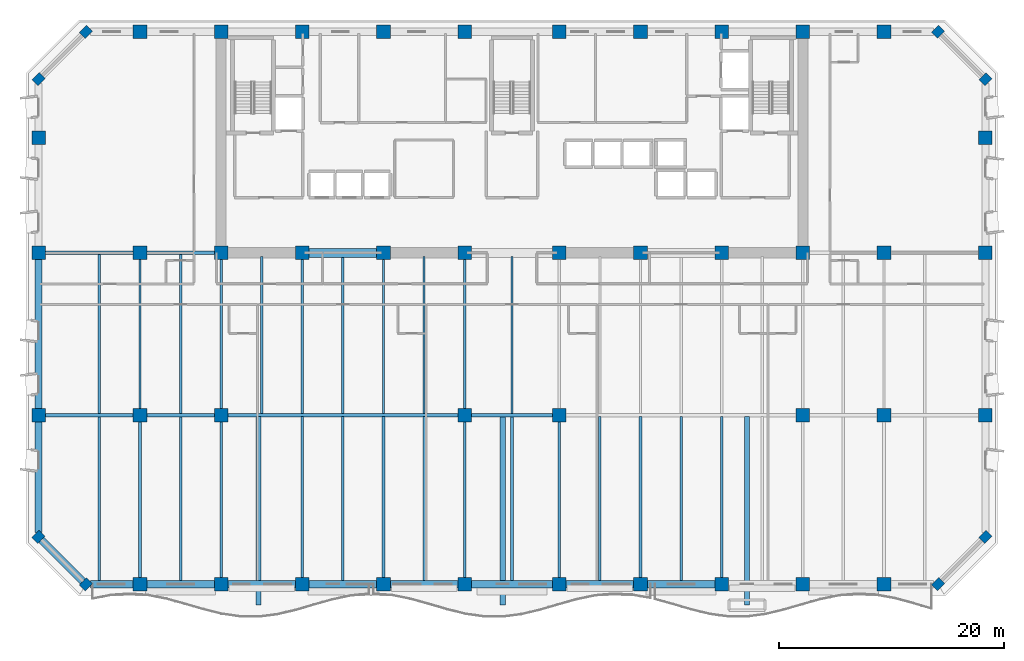
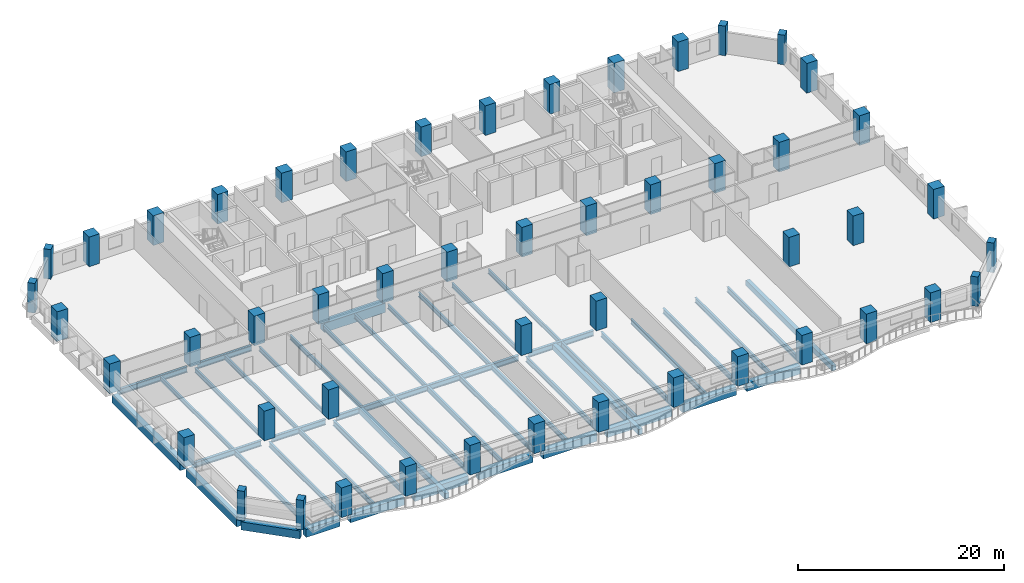
# One storey, part 1 of 14: 50 columns, 47 beams.
"""IFC4 building model written with IfcOpenShell, lengths in metres."""

from ifc_helpers import new_model, si_unit, direction, frame, origin, origin_2d, place, context, subcontext, project, spatial, rectangle, i_section, extrude, material, material_profile, profile_set, type_object, element, save


model = new_model("IFC4")

# Units and contexts
model_context = context("Model", 3, precision=1e-05, world=origin(), true_north=direction((0.0, 1.0)))
body_context = subcontext(model_context, "Body", "Model", "MODEL_VIEW")
ifc_project = project(units=[si_unit("LENGTHUNIT", "METRE"), si_unit("AREAUNIT", "SQUARE_METRE"), si_unit("VOLUMEUNIT", "CUBIC_METRE"), si_unit("PLANEANGLEUNIT", "RADIAN"), si_unit("MASSUNIT", "GRAM", prefix="KILO")], contexts=[model_context])

# Site, building, storey
site_placement = place(None, origin())
site = spatial("IfcSite", under=ifc_project, at=site_placement, CompositionType="ELEMENT")
building_placement = place(site_placement, origin())
building = spatial("IfcBuilding", under=site, at=building_placement, Name="Kaelvorn Grand Hotel", CompositionType="ELEMENT")
storey_placement = place(building_placement, frame((0.0, 0.0, 119.300048828125)))
storey = spatial("IfcBuildingStorey", under=building, at=storey_placement, Name="L28", CompositionType="ELEMENT", Elevation=119.300048828125)

# Columns
ifc_material_1 = material(Name="Concrete C60/75", Category="concrete")
ifc_material_profile_1 = material_profile(ifc_material_1, rectangle(XDim=0.89990234375, YDim=0.75, at=origin_2d()), Name="RC PILASTER 900x750")
ifc_profile_set_1 = profile_set([ifc_material_profile_1], Name="Concrete C60/75")
column_type_1 = type_object("IfcColumnType", Name="COL-PIL-900x750-C60", PredefinedType="PILASTER", material=ifc_profile_set_1)
for number, where, z_axis, x_axis, name in (
    (1, (4.199951171875, 0.0, 0.0), (0.0, 0.0, 1.0), (0.707106781187, 0.707106781187, 0.0), "L28 Structural Column CH-01"),
    (2, (79.800048828125, 0.0, 0.0), (0.0, 0.0, 1.0), (0.707106781187, 0.707106781187, 0.0), "L28 Structural Column CH-02"),
    (3, (84.0, 4.199951171875, 0.0), (0.0, 0.0, 1.0), (0.707106781187, 0.707106781187, 0.0), "L28 Structural Column CH-03"),
    (4, (84.0, 44.800048828125, 0.0), (0.0, 0.0, 1.0), (0.707106781187, 0.707106781187, 0.0), "L28 Structural Column CH-04"),
    (5, (79.800048828125, 49.0, 0.0), (0.0, 0.0, 1.0), (0.707106781187, 0.707106781187, 0.0), "L28 Structural Column CH-05"),
    (6, (4.199951171875, 49.0, 0.0), (0.0, 0.0, 1.0), (0.707106781187, 0.707106781187, 0.0), "L28 Structural Column CH-06"),
    (7, (0.0, 44.800048828125, 0.0), (0.0, 0.0, 1.0), (0.707106781187, 0.707106781187, 0.0), "L28 Structural Column CH-07"),
    (8, (0.0, 4.199951171875, 0.0), (0.0, 0.0, 1.0), (0.707106781187, 0.707106781187, 0.0), "L28 Structural Column CH-08"),
):
    element("IfcColumn", number, at=place(storey_placement, frame(where, z_axis=z_axis, x_axis=x_axis)), inside=storey, type_object=column_type_1, Name=name, PredefinedType="PILASTER", context=body_context, shape_type="SweptSolid", body=[
        extrude(rectangle(XDim=0.89990234375, YDim=0.75, at=origin_2d()), origin(), (0.0, 0.0, 1.0), 3.510009765625),
    ])
ifc_material_profile_2 = material_profile(ifc_material_1, rectangle(XDim=1.199951171875, YDim=1.199951171875, at=origin_2d()), Name="RC COL 1200x1200")
ifc_profile_set_2 = profile_set([ifc_material_profile_2], Name="Concrete C60/75")
column_type_2 = type_object("IfcColumnType", Name="COL-RC-1200-C60", PredefinedType="COLUMN", material=ifc_profile_set_2)
for number, where, z_axis, x_axis, name in (
    (9, (9.0, 0.0, 0.0), (0.0, 0.0, 1.0), (1.0, 0.0, 0.0), "L28 Structural Column S-01"),
    (10, (16.199951171875, 0.0, 0.0), (0.0, 0.0, 1.0), (1.0, 0.0, 0.0), "L28 Structural Column S-02"),
    (11, (23.39990234375, 0.0, 0.0), (0.0, 0.0, 1.0), (1.0, 0.0, 0.0), "L28 Structural Column S-03"),
    (12, (30.60009765625, 0.0, 0.0), (0.0, 0.0, 1.0), (1.0, 0.0, 0.0), "L28 Structural Column S-04"),
    (13, (37.800048828125, 0.0, 0.0), (0.0, 0.0, 1.0), (1.0, 0.0, 0.0), "L28 Structural Column S-05"),
    (14, (46.199951171875, 0.0, 0.0), (0.0, 0.0, 1.0), (1.0, 0.0, 0.0), "L28 Structural Column S-06"),
    (15, (53.39990234375, 0.0, 0.0), (0.0, 0.0, 1.0), (1.0, 0.0, 0.0), "L28 Structural Column S-07"),
    (16, (60.60009765625, 0.0, 0.0), (0.0, 0.0, 1.0), (1.0, 0.0, 0.0), "L28 Structural Column S-08"),
    (17, (67.800048828125, 0.0, 0.0), (0.0, 0.0, 1.0), (1.0, 0.0, 0.0), "L28 Structural Column S-09"),
    (18, (75.0, 0.0, 0.0), (0.0, 0.0, 1.0), (1.0, 0.0, 0.0), "L28 Structural Column S-10"),
    (19, (0.0, 15.0, 0.0), (0.0, 0.0, 1.0), (1.0, 0.0, 0.0), "L28 Structural Column W-01"),
    (20, (84.0, 15.0, 0.0), (0.0, 0.0, 1.0), (1.0, 0.0, 0.0), "L28 Structural Column E-01"),
    (21, (0.0, 29.39990234375, 0.0), (0.0, 0.0, 1.0), (1.0, 0.0, 0.0), "L28 Structural Column W-02"),
    (22, (84.0, 29.39990234375, 0.0), (0.0, 0.0, 1.0), (1.0, 0.0, 0.0), "L28 Structural Column E-02"),
    (23, (0.0, 39.60009765625, 0.0), (0.0, 0.0, 1.0), (1.0, 0.0, 0.0), "L28 Structural Column W-03"),
    (24, (84.0, 39.60009765625, 0.0), (0.0, 0.0, 1.0), (1.0, 0.0, 0.0), "L28 Structural Column E-03"),
    (25, (9.0, 15.0, 0.0), (0.0, 0.0, 1.0), (1.0, 0.0, 0.0), "L28 Structural Column M-01"),
    (26, (16.199951171875, 15.0, 0.0), (0.0, 0.0, 1.0), (1.0, 0.0, 0.0), "L28 Structural Column M-02"),
    (27, (37.800048828125, 15.0, 0.0), (0.0, 0.0, 1.0), (1.0, 0.0, 0.0), "L28 Structural Column M-03"),
    (28, (46.199951171875, 15.0, 0.0), (0.0, 0.0, 1.0), (1.0, 0.0, 0.0), "L28 Structural Column M-04"),
    (29, (67.800048828125, 15.0, 0.0), (0.0, 0.0, 1.0), (1.0, 0.0, 0.0), "L28 Structural Column M-05"),
    (30, (75.0, 15.0, 0.0), (0.0, 0.0, 1.0), (1.0, 0.0, 0.0), "L28 Structural Column M-06"),
    (31, (9.0, 29.39990234375, 0.0), (0.0, 0.0, 1.0), (1.0, 0.0, 0.0), "L28 Structural Column CR1-01"),
    (32, (9.0, 49.0, 0.0), (0.0, 0.0, 1.0), (1.0, 0.0, 0.0), "L28 Structural Column CR2-01"),
    (33, (16.199951171875, 29.39990234375, 0.0), (0.0, 0.0, 1.0), (1.0, 0.0, 0.0), "L28 Structural Column CR1-02"),
    (34, (16.199951171875, 49.0, 0.0), (0.0, 0.0, 1.0), (1.0, 0.0, 0.0), "L28 Structural Column CR2-02"),
    (35, (23.39990234375, 29.39990234375, 0.0), (0.0, 0.0, 1.0), (1.0, 0.0, 0.0), "L28 Structural Column CR1-03"),
    (36, (23.39990234375, 49.0, 0.0), (0.0, 0.0, 1.0), (1.0, 0.0, 0.0), "L28 Structural Column CR2-03"),
    (37, (30.60009765625, 29.39990234375, 0.0), (0.0, 0.0, 1.0), (1.0, 0.0, 0.0), "L28 Structural Column CR1-04"),
    (38, (30.60009765625, 49.0, 0.0), (0.0, 0.0, 1.0), (1.0, 0.0, 0.0), "L28 Structural Column CR2-04"),
    (39, (37.800048828125, 29.39990234375, 0.0), (0.0, 0.0, 1.0), (1.0, 0.0, 0.0), "L28 Structural Column CR1-05"),
    (40, (37.800048828125, 49.0, 0.0), (0.0, 0.0, 1.0), (1.0, 0.0, 0.0), "L28 Structural Column CR2-05"),
    (41, (46.199951171875, 29.39990234375, 0.0), (0.0, 0.0, 1.0), (1.0, 0.0, 0.0), "L28 Structural Column CR1-06"),
    (42, (46.199951171875, 49.0, 0.0), (0.0, 0.0, 1.0), (1.0, 0.0, 0.0), "L28 Structural Column CR2-06"),
    (43, (53.39990234375, 29.39990234375, 0.0), (0.0, 0.0, 1.0), (1.0, 0.0, 0.0), "L28 Structural Column CR1-07"),
    (44, (53.39990234375, 49.0, 0.0), (0.0, 0.0, 1.0), (1.0, 0.0, 0.0), "L28 Structural Column CR2-07"),
    (45, (60.60009765625, 29.39990234375, 0.0), (0.0, 0.0, 1.0), (1.0, 0.0, 0.0), "L28 Structural Column CR1-08"),
    (46, (60.60009765625, 49.0, 0.0), (0.0, 0.0, 1.0), (1.0, 0.0, 0.0), "L28 Structural Column CR2-08"),
    (47, (67.800048828125, 29.39990234375, 0.0), (0.0, 0.0, 1.0), (1.0, 0.0, 0.0), "L28 Structural Column CR1-09"),
    (48, (67.800048828125, 49.0, 0.0), (0.0, 0.0, 1.0), (1.0, 0.0, 0.0), "L28 Structural Column CR2-09"),
    (49, (75.0, 29.39990234375, 0.0), (0.0, 0.0, 1.0), (1.0, 0.0, 0.0), "L28 Structural Column CR1-10"),
    (50, (75.0, 49.0, 0.0), (0.0, 0.0, 1.0), (1.0, 0.0, 0.0), "L28 Structural Column CR2-10"),
):
    element("IfcColumn", number, at=place(storey_placement, frame(where, z_axis=z_axis, x_axis=x_axis)), inside=storey, type_object=column_type_2, Name=name, PredefinedType="COLUMN", context=body_context, shape_type="SweptSolid", body=[
        extrude(rectangle(XDim=1.199951171875, YDim=1.199951171875, at=origin_2d()), origin(), (0.0, 0.0, 1.0), 3.510009765625),
    ])

# Beams
ifc_material_2 = material(Name="Steel S355", Category="steel")
ifc_material_profile_3 = material_profile(ifc_material_2, i_section(OverallWidth=0.300048828125, OverallDepth=0.64990234375, WebThickness=0.01611328125, FlangeThickness=0.031005859375, FilletRadius=0.027099609375, at=origin_2d()), Name="HEB 650")
ifc_profile_set_3 = profile_set([ifc_material_profile_3], Name="Steel S355")
beam_type_1 = type_object("IfcBeamType", Name="BM-G-HEB650-S355", PredefinedType="BEAM", material=ifc_profile_set_3)
beam_1_placement = place(storey_placement, frame((0.5849609375, 15.0, -0.56494140625), z_axis=(1.0, 0.0, 0.0), x_axis=(0.0, 1.0, 0.0)))
element("IfcBeam", 51, at=beam_1_placement, inside=storey, type_object=beam_type_1, Name="L28 Primary Spine Steel Girder G-15 01", PredefinedType="BEAM", context=body_context, shape_type="SweptSolid", body=[
    extrude(i_section(OverallWidth=0.300048828125, OverallDepth=0.64990234375, WebThickness=0.01611328125, FlangeThickness=0.031005859375, FilletRadius=0.027099609375, at=origin_2d()), origin(), (0.0, 0.0, 1.0), 7.830078125),
])
beam_2_placement = place(storey_placement, frame((9.5849609375, 15.0, -0.56494140625), z_axis=(1.0, 0.0, 0.0), x_axis=(0.0, 1.0, 0.0)))
element("IfcBeam", 52, at=beam_2_placement, inside=storey, type_object=beam_type_1, Name="L28 Primary Spine Steel Girder G-15 02", PredefinedType="BEAM", context=body_context, shape_type="SweptSolid", body=[
    extrude(i_section(OverallWidth=0.300048828125, OverallDepth=0.64990234375, WebThickness=0.01611328125, FlangeThickness=0.031005859375, FilletRadius=0.027099609375, at=origin_2d()), origin(), (0.0, 0.0, 1.0), 6.030029296875),
])
beam_3_placement = place(storey_placement, frame((16.784912109375, 15.0, -0.56494140625), z_axis=(1.0, 0.0, 0.0), x_axis=(0.0, 1.0, 0.0)))
element("IfcBeam", 53, at=beam_3_placement, inside=storey, type_object=beam_type_1, Name="L28 Primary Spine Steel Girder G-15 03", PredefinedType="BEAM", context=body_context, shape_type="SweptSolid", body=[
    extrude(i_section(OverallWidth=0.300048828125, OverallDepth=0.64990234375, WebThickness=0.01611328125, FlangeThickness=0.031005859375, FilletRadius=0.027099609375, at=origin_2d()), origin(), (0.0, 0.0, 1.0), 20.43017578125),
])
beam_4_placement = place(storey_placement, frame((38.385009765625, 15.0, -0.56494140625), z_axis=(1.0, 0.0, 0.0), x_axis=(0.0, 1.0, 0.0)))
element("IfcBeam", 54, at=beam_4_placement, inside=storey, type_object=beam_type_1, Name="L28 Primary Spine Steel Girder G-15 04", PredefinedType="BEAM", context=body_context, shape_type="SweptSolid", body=[
    extrude(i_section(OverallWidth=0.300048828125, OverallDepth=0.64990234375, WebThickness=0.01611328125, FlangeThickness=0.031005859375, FilletRadius=0.027099609375, at=origin_2d()), origin(), (0.0, 0.0, 1.0), 7.22998046875),
])
beam_5_placement = place(storey_placement, frame((0.5849609375, 29.39990234375, -0.56494140625), z_axis=(1.0, 0.0, 0.0), x_axis=(0.0, 1.0, 0.0)))
element("IfcBeam", 55, at=beam_5_placement, inside=storey, type_object=beam_type_1, Name="L28 West Core Wing Steel Girder G-29W 01", PredefinedType="BEAM", context=body_context, shape_type="SweptSolid", body=[
    extrude(i_section(OverallWidth=0.300048828125, OverallDepth=0.64990234375, WebThickness=0.01611328125, FlangeThickness=0.031005859375, FilletRadius=0.027099609375, at=origin_2d()), origin(), (0.0, 0.0, 1.0), 7.830078125),
])
beam_6_placement = place(storey_placement, frame((9.5849609375, 29.39990234375, -0.56494140625), z_axis=(1.0, 0.0, 0.0), x_axis=(0.0, 1.0, 0.0)))
element("IfcBeam", 56, at=beam_6_placement, inside=storey, type_object=beam_type_1, Name="L28 West Core Wing Steel Girder G-29W 02", PredefinedType="BEAM", context=body_context, shape_type="SweptSolid", body=[
    extrude(i_section(OverallWidth=0.300048828125, OverallDepth=0.64990234375, WebThickness=0.01611328125, FlangeThickness=0.031005859375, FilletRadius=0.027099609375, at=origin_2d()), origin(), (0.0, 0.0, 1.0), 6.030029296875),
])
ifc_material_profile_4 = material_profile(ifc_material_2, i_section(OverallWidth=0.209228515625, OverallDepth=0.533203125, WebThickness=0.010009765625, FlangeThickness=0.015625, FilletRadius=0.0126953125, at=origin_2d()), Name="UB 533x210x92")
ifc_profile_set_4 = profile_set([ifc_material_profile_4], Name="Steel S355")
beam_type_2 = type_object("IfcBeamType", Name="BM-J-UB533-S355", PredefinedType="JOIST", material=ifc_profile_set_4)
beam_7_placement = place(storey_placement, frame((5.39990234375, 15.135009765625, -0.506591796875), z_axis=(0.0, 1.0, 0.0), x_axis=(-1.0, 0.0, 0.0)))
element("IfcBeam", 57, at=beam_7_placement, inside=storey, type_object=beam_type_2, Name="L28 Composite Floor Joist JM-02", PredefinedType="JOIST", context=body_context, shape_type="SweptSolid", body=[
    extrude(i_section(OverallWidth=0.209228515625, OverallDepth=0.533203125, WebThickness=0.010009765625, FlangeThickness=0.015625, FilletRadius=0.0126953125, at=origin_2d()), origin(), (0.0, 0.0, 1.0), 14.1298828125),
])
beam_8_placement = place(storey_placement, frame((9.0, 15.5849609375, -0.506591796875), z_axis=(0.0, 1.0, 0.0), x_axis=(-1.0, 0.0, 0.0)))
element("IfcBeam", 58, at=beam_8_placement, inside=storey, type_object=beam_type_2, Name="L28 Composite Floor Joist JM-03", PredefinedType="JOIST", context=body_context, shape_type="SweptSolid", body=[
    extrude(i_section(OverallWidth=0.209228515625, OverallDepth=0.533203125, WebThickness=0.010009765625, FlangeThickness=0.015625, FilletRadius=0.0126953125, at=origin_2d()), origin(), (0.0, 0.0, 1.0), 13.22998046875),
])
beam_9_placement = place(storey_placement, frame((12.60009765625, 15.135009765625, -0.506591796875), z_axis=(0.0, 1.0, 0.0), x_axis=(-1.0, 0.0, 0.0)))
element("IfcBeam", 59, at=beam_9_placement, inside=storey, type_object=beam_type_2, Name="L28 Composite Floor Joist JM-04", PredefinedType="JOIST", context=body_context, shape_type="SweptSolid", body=[
    extrude(i_section(OverallWidth=0.209228515625, OverallDepth=0.533203125, WebThickness=0.010009765625, FlangeThickness=0.015625, FilletRadius=0.0126953125, at=origin_2d()), origin(), (0.0, 0.0, 1.0), 14.1298828125),
])
beam_10_placement = place(storey_placement, frame((16.199951171875, 15.5849609375, -0.506591796875), z_axis=(0.0, 1.0, 0.0), x_axis=(-1.0, 0.0, 0.0)))
element("IfcBeam", 60, at=beam_10_placement, inside=storey, type_object=beam_type_2, Name="L28 Composite Floor Joist JM-05", PredefinedType="JOIST", context=body_context, shape_type="SweptSolid", body=[
    extrude(i_section(OverallWidth=0.209228515625, OverallDepth=0.533203125, WebThickness=0.010009765625, FlangeThickness=0.015625, FilletRadius=0.0126953125, at=origin_2d()), origin(), (0.0, 0.0, 1.0), 13.22998046875),
])
beam_11_placement = place(storey_placement, frame((19.800048828125, 15.135009765625, -0.506591796875), z_axis=(0.0, 1.0, 0.0), x_axis=(-1.0, 0.0, 0.0)))
element("IfcBeam", 61, at=beam_11_placement, inside=storey, type_object=beam_type_2, Name="L28 Composite Floor Joist JM-06", PredefinedType="JOIST", context=body_context, shape_type="SweptSolid", body=[
    extrude(i_section(OverallWidth=0.209228515625, OverallDepth=0.533203125, WebThickness=0.010009765625, FlangeThickness=0.015625, FilletRadius=0.0126953125, at=origin_2d()), origin(), (0.0, 0.0, 1.0), 13.925048828125),
])
beam_12_placement = place(storey_placement, frame((23.39990234375, 15.135009765625, -0.506591796875), z_axis=(0.0, 1.0, 0.0), x_axis=(-1.0, 0.0, 0.0)))
element("IfcBeam", 62, at=beam_12_placement, inside=storey, type_object=beam_type_2, Name="L28 Composite Floor Joist JM-07", PredefinedType="JOIST", context=body_context, shape_type="SweptSolid", body=[
    extrude(i_section(OverallWidth=0.209228515625, OverallDepth=0.533203125, WebThickness=0.010009765625, FlangeThickness=0.015625, FilletRadius=0.0126953125, at=origin_2d()), origin(), (0.0, 0.0, 1.0), 13.679931640625),
])
beam_13_placement = place(storey_placement, frame((27.0, 15.135009765625, -0.506591796875), z_axis=(0.0, 1.0, 0.0), x_axis=(-1.0, 0.0, 0.0)))
element("IfcBeam", 63, at=beam_13_placement, inside=storey, type_object=beam_type_2, Name="L28 Composite Floor Joist JM-08", PredefinedType="JOIST", context=body_context, shape_type="SweptSolid", body=[
    extrude(i_section(OverallWidth=0.209228515625, OverallDepth=0.533203125, WebThickness=0.010009765625, FlangeThickness=0.015625, FilletRadius=0.0126953125, at=origin_2d()), origin(), (0.0, 0.0, 1.0), 13.925048828125),
])
beam_14_placement = place(storey_placement, frame((30.60009765625, 15.135009765625, -0.506591796875), z_axis=(0.0, 1.0, 0.0), x_axis=(-1.0, 0.0, 0.0)))
element("IfcBeam", 64, at=beam_14_placement, inside=storey, type_object=beam_type_2, Name="L28 Composite Floor Joist JM-09", PredefinedType="JOIST", context=body_context, shape_type="SweptSolid", body=[
    extrude(i_section(OverallWidth=0.209228515625, OverallDepth=0.533203125, WebThickness=0.010009765625, FlangeThickness=0.015625, FilletRadius=0.0126953125, at=origin_2d()), origin(), (0.0, 0.0, 1.0), 13.679931640625),
])
beam_15_placement = place(storey_placement, frame((34.199951171875, 15.135009765625, -0.506591796875), z_axis=(0.0, 1.0, 0.0), x_axis=(-1.0, 0.0, 0.0)))
element("IfcBeam", 65, at=beam_15_placement, inside=storey, type_object=beam_type_2, Name="L28 Composite Floor Joist JM-10", PredefinedType="JOIST", context=body_context, shape_type="SweptSolid", body=[
    extrude(i_section(OverallWidth=0.209228515625, OverallDepth=0.533203125, WebThickness=0.010009765625, FlangeThickness=0.015625, FilletRadius=0.0126953125, at=origin_2d()), origin(), (0.0, 0.0, 1.0), 13.925048828125),
])
beam_16_placement = place(storey_placement, frame((37.800048828125, 15.5849609375, -0.506591796875), z_axis=(0.0, 1.0, 0.0), x_axis=(-1.0, 0.0, 0.0)))
element("IfcBeam", 66, at=beam_16_placement, inside=storey, type_object=beam_type_2, Name="L28 Composite Floor Joist JM-11", PredefinedType="JOIST", context=body_context, shape_type="SweptSolid", body=[
    extrude(i_section(OverallWidth=0.209228515625, OverallDepth=0.533203125, WebThickness=0.010009765625, FlangeThickness=0.015625, FilletRadius=0.0126953125, at=origin_2d()), origin(), (0.0, 0.0, 1.0), 13.22998046875),
])
beam_17_placement = place(storey_placement, frame((42.0, 15.135009765625, -0.506591796875), z_axis=(0.0, 1.0, 0.0), x_axis=(-1.0, 0.0, 0.0)))
element("IfcBeam", 67, at=beam_17_placement, inside=storey, type_object=beam_type_2, Name="L28 Composite Floor Joist JM-12", PredefinedType="JOIST", context=body_context, shape_type="SweptSolid", body=[
    extrude(i_section(OverallWidth=0.209228515625, OverallDepth=0.533203125, WebThickness=0.010009765625, FlangeThickness=0.015625, FilletRadius=0.0126953125, at=origin_2d()), origin(), (0.0, 0.0, 1.0), 13.925048828125),
])
ifc_material_profile_5 = material_profile(ifc_material_2, i_section(OverallWidth=0.22900390625, OverallDepth=0.6123046875, WebThickness=0.011962890625, FlangeThickness=0.01953125, FilletRadius=0.0126953125, at=origin_2d()), Name="UB 610x229x125")
ifc_profile_set_5 = profile_set([ifc_material_profile_5], Name="Steel S355")
beam_type_3 = type_object("IfcBeamType", Name="BM-J-UB610-S355", PredefinedType="JOIST", material=ifc_profile_set_5)
beam_18_placement = place(storey_placement, frame((5.39990234375, 0.31005859375, -0.546142578125), z_axis=(0.0, 1.0, 0.0), x_axis=(-1.0, 0.0, 0.0)))
element("IfcBeam", 68, at=beam_18_placement, inside=storey, type_object=beam_type_3, Name="L28 Composite Floor Joist JS-02", PredefinedType="JOIST", context=body_context, shape_type="SweptSolid", body=[
    extrude(i_section(OverallWidth=0.22900390625, OverallDepth=0.6123046875, WebThickness=0.011962890625, FlangeThickness=0.01953125, FilletRadius=0.0126953125, at=origin_2d()), origin(), (0.0, 0.0, 1.0), 14.554931640625),
])
beam_19_placement = place(storey_placement, frame((9.0, 0.5849609375, -0.546142578125), z_axis=(0.0, 1.0, 0.0), x_axis=(-1.0, 0.0, 0.0)))
element("IfcBeam", 69, at=beam_19_placement, inside=storey, type_object=beam_type_3, Name="L28 Composite Floor Joist JS-03", PredefinedType="JOIST", context=body_context, shape_type="SweptSolid", body=[
    extrude(i_section(OverallWidth=0.22900390625, OverallDepth=0.6123046875, WebThickness=0.011962890625, FlangeThickness=0.01953125, FilletRadius=0.0126953125, at=origin_2d()), origin(), (0.0, 0.0, 1.0), 13.830078125),
])
beam_20_placement = place(storey_placement, frame((12.60009765625, 0.31005859375, -0.546142578125), z_axis=(0.0, 1.0, 0.0), x_axis=(-1.0, 0.0, 0.0)))
element("IfcBeam", 70, at=beam_20_placement, inside=storey, type_object=beam_type_3, Name="L28 Composite Floor Joist JS-04", PredefinedType="JOIST", context=body_context, shape_type="SweptSolid", body=[
    extrude(i_section(OverallWidth=0.22900390625, OverallDepth=0.6123046875, WebThickness=0.011962890625, FlangeThickness=0.01953125, FilletRadius=0.0126953125, at=origin_2d()), origin(), (0.0, 0.0, 1.0), 14.554931640625),
])
beam_21_placement = place(storey_placement, frame((16.199951171875, 0.5849609375, -0.546142578125), z_axis=(0.0, 1.0, 0.0), x_axis=(-1.0, 0.0, 0.0)))
element("IfcBeam", 71, at=beam_21_placement, inside=storey, type_object=beam_type_3, Name="L28 Composite Floor Joist JS-05", PredefinedType="JOIST", context=body_context, shape_type="SweptSolid", body=[
    extrude(i_section(OverallWidth=0.22900390625, OverallDepth=0.6123046875, WebThickness=0.011962890625, FlangeThickness=0.01953125, FilletRadius=0.0126953125, at=origin_2d()), origin(), (0.0, 0.0, 1.0), 13.830078125),
])
beam_22_placement = place(storey_placement, frame((23.39990234375, 0.5849609375, -0.546142578125), z_axis=(0.0, 1.0, 0.0), x_axis=(-1.0, 0.0, 0.0)))
element("IfcBeam", 72, at=beam_22_placement, inside=storey, type_object=beam_type_3, Name="L28 Composite Floor Joist JS-07", PredefinedType="JOIST", context=body_context, shape_type="SweptSolid", body=[
    extrude(i_section(OverallWidth=0.22900390625, OverallDepth=0.6123046875, WebThickness=0.011962890625, FlangeThickness=0.01953125, FilletRadius=0.0126953125, at=origin_2d()), origin(), (0.0, 0.0, 1.0), 14.280029296875),
])
beam_23_placement = place(storey_placement, frame((27.0, 0.31005859375, -0.546142578125), z_axis=(0.0, 1.0, 0.0), x_axis=(-1.0, 0.0, 0.0)))
element("IfcBeam", 73, at=beam_23_placement, inside=storey, type_object=beam_type_3, Name="L28 Composite Floor Joist JS-08", PredefinedType="JOIST", context=body_context, shape_type="SweptSolid", body=[
    extrude(i_section(OverallWidth=0.22900390625, OverallDepth=0.6123046875, WebThickness=0.011962890625, FlangeThickness=0.01953125, FilletRadius=0.0126953125, at=origin_2d()), origin(), (0.0, 0.0, 1.0), 14.554931640625),
])
beam_24_placement = place(storey_placement, frame((30.60009765625, 0.5849609375, -0.546142578125), z_axis=(0.0, 1.0, 0.0), x_axis=(-1.0, 0.0, 0.0)))
element("IfcBeam", 74, at=beam_24_placement, inside=storey, type_object=beam_type_3, Name="L28 Composite Floor Joist JS-09", PredefinedType="JOIST", context=body_context, shape_type="SweptSolid", body=[
    extrude(i_section(OverallWidth=0.22900390625, OverallDepth=0.6123046875, WebThickness=0.011962890625, FlangeThickness=0.01953125, FilletRadius=0.0126953125, at=origin_2d()), origin(), (0.0, 0.0, 1.0), 14.280029296875),
])
beam_25_placement = place(storey_placement, frame((34.199951171875, 0.31005859375, -0.546142578125), z_axis=(0.0, 1.0, 0.0), x_axis=(-1.0, 0.0, 0.0)))
element("IfcBeam", 75, at=beam_25_placement, inside=storey, type_object=beam_type_3, Name="L28 Composite Floor Joist JS-10", PredefinedType="JOIST", context=body_context, shape_type="SweptSolid", body=[
    extrude(i_section(OverallWidth=0.22900390625, OverallDepth=0.6123046875, WebThickness=0.011962890625, FlangeThickness=0.01953125, FilletRadius=0.0126953125, at=origin_2d()), origin(), (0.0, 0.0, 1.0), 14.554931640625),
])
beam_26_placement = place(storey_placement, frame((37.800048828125, 0.5849609375, -0.546142578125), z_axis=(0.0, 1.0, 0.0), x_axis=(-1.0, 0.0, 0.0)))
element("IfcBeam", 76, at=beam_26_placement, inside=storey, type_object=beam_type_3, Name="L28 Composite Floor Joist JS-11", PredefinedType="JOIST", context=body_context, shape_type="SweptSolid", body=[
    extrude(i_section(OverallWidth=0.22900390625, OverallDepth=0.6123046875, WebThickness=0.011962890625, FlangeThickness=0.01953125, FilletRadius=0.0126953125, at=origin_2d()), origin(), (0.0, 0.0, 1.0), 13.830078125),
])
beam_27_placement = place(storey_placement, frame((42.0, 0.31005859375, -0.546142578125), z_axis=(0.0, 1.0, 0.0), x_axis=(-1.0, 0.0, 0.0)))
element("IfcBeam", 77, at=beam_27_placement, inside=storey, type_object=beam_type_3, Name="L28 Composite Floor Joist JS-12", PredefinedType="JOIST", context=body_context, shape_type="SweptSolid", body=[
    extrude(i_section(OverallWidth=0.22900390625, OverallDepth=0.6123046875, WebThickness=0.011962890625, FlangeThickness=0.01953125, FilletRadius=0.0126953125, at=origin_2d()), origin(), (0.0, 0.0, 1.0), 14.554931640625),
])
beam_28_placement = place(storey_placement, frame((46.199951171875, 0.5849609375, -0.546142578125), z_axis=(0.0, 1.0, 0.0), x_axis=(-1.0, 0.0, 0.0)))
element("IfcBeam", 78, at=beam_28_placement, inside=storey, type_object=beam_type_3, Name="L28 Composite Floor Joist JS-13", PredefinedType="JOIST", context=body_context, shape_type="SweptSolid", body=[
    extrude(i_section(OverallWidth=0.22900390625, OverallDepth=0.6123046875, WebThickness=0.011962890625, FlangeThickness=0.01953125, FilletRadius=0.0126953125, at=origin_2d()), origin(), (0.0, 0.0, 1.0), 13.830078125),
])
beam_29_placement = place(storey_placement, frame((49.800048828125, 0.31005859375, -0.546142578125), z_axis=(0.0, 1.0, 0.0), x_axis=(-1.0, 0.0, 0.0)))
element("IfcBeam", 79, at=beam_29_placement, inside=storey, type_object=beam_type_3, Name="L28 Composite Floor Joist JS-14", PredefinedType="JOIST", context=body_context, shape_type="SweptSolid", body=[
    extrude(i_section(OverallWidth=0.22900390625, OverallDepth=0.6123046875, WebThickness=0.011962890625, FlangeThickness=0.01953125, FilletRadius=0.0126953125, at=origin_2d()), origin(), (0.0, 0.0, 1.0), 14.554931640625),
])
beam_30_placement = place(storey_placement, frame((53.39990234375, 0.5849609375, -0.546142578125), z_axis=(0.0, 1.0, 0.0), x_axis=(-1.0, 0.0, 0.0)))
element("IfcBeam", 80, at=beam_30_placement, inside=storey, type_object=beam_type_3, Name="L28 Composite Floor Joist JS-15", PredefinedType="JOIST", context=body_context, shape_type="SweptSolid", body=[
    extrude(i_section(OverallWidth=0.22900390625, OverallDepth=0.6123046875, WebThickness=0.011962890625, FlangeThickness=0.01953125, FilletRadius=0.0126953125, at=origin_2d()), origin(), (0.0, 0.0, 1.0), 14.280029296875),
])
beam_31_placement = place(storey_placement, frame((57.0, 0.31005859375, -0.546142578125), z_axis=(0.0, 1.0, 0.0), x_axis=(-1.0, 0.0, 0.0)))
element("IfcBeam", 81, at=beam_31_placement, inside=storey, type_object=beam_type_3, Name="L28 Composite Floor Joist JS-16", PredefinedType="JOIST", context=body_context, shape_type="SweptSolid", body=[
    extrude(i_section(OverallWidth=0.22900390625, OverallDepth=0.6123046875, WebThickness=0.011962890625, FlangeThickness=0.01953125, FilletRadius=0.0126953125, at=origin_2d()), origin(), (0.0, 0.0, 1.0), 14.554931640625),
])
beam_32_placement = place(storey_placement, frame((60.60009765625, 0.5849609375, -0.546142578125), z_axis=(0.0, 1.0, 0.0), x_axis=(-1.0, 0.0, 0.0)))
element("IfcBeam", 82, at=beam_32_placement, inside=storey, type_object=beam_type_3, Name="L28 Composite Floor Joist JS-17", PredefinedType="JOIST", context=body_context, shape_type="SweptSolid", body=[
    extrude(i_section(OverallWidth=0.22900390625, OverallDepth=0.6123046875, WebThickness=0.011962890625, FlangeThickness=0.01953125, FilletRadius=0.0126953125, at=origin_2d()), origin(), (0.0, 0.0, 1.0), 14.280029296875),
])
ifc_material_profile_6 = material_profile(ifc_material_1, rectangle(XDim=0.800048828125, YDim=1.10009765625, at=origin_2d()), Name="RC LINTEL 800x1100")
ifc_profile_set_6 = profile_set([ifc_material_profile_6], Name="Concrete C60/75")
beam_type_4 = type_object("IfcBeamType", Name="BM-LIN-800x1100-C60", PredefinedType="LINTEL", material=ifc_profile_set_6)
beam_33_placement = place(storey_placement, frame((23.580078125, 29.39990234375, -0.7900390625), z_axis=(1.0, 0.0, 0.0), x_axis=(0.0, 1.0, 0.0)))
element("IfcBeam", 83, at=beam_33_placement, inside=storey, type_object=beam_type_4, Name="L28 Rear-Core Coupling Lintel Beam CB1-01", PredefinedType="LINTEL", context=body_context, shape_type="SweptSolid", body=[
    extrude(rectangle(XDim=0.800048828125, YDim=1.10009765625, at=origin_2d()), origin(), (0.0, 0.0, 1.0), 6.83984375),
])
ifc_material_3 = material(Name="Concrete C40/50", Category="concrete")
ifc_material_profile_7 = material_profile(ifc_material_3, rectangle(XDim=0.449951171875, YDim=0.64990234375, at=origin_2d()), Name="RC RIB 450x650")
ifc_profile_set_7 = profile_set([ifc_material_profile_7], Name="Concrete C40/50")
beam_type_5 = type_object("IfcBeamType", Name="BM-RIB-450x650-C40", PredefinedType="SPANDREL", material=ifc_profile_set_7)
for number, where, z_axis, x_axis, name in (
    (84, (19.52001953125, -1.85009765625, -0.545166015625), (0.0, 1.0, 0.0), (-1.0, 0.0, 0.0), "L28 Cantilevered Balcony Back-Span Rib RB1-1"),
    (85, (41.18212890625, -1.85009765625, -0.545166015625), (0.0, 1.0, 0.0), (-1.0, 0.0, 0.0), "L28 Cantilevered Balcony Back-Span Rib RB1-2"),
    (86, (62.844482421875, -1.85009765625, -0.545166015625), (0.0, 1.0, 0.0), (-1.0, 0.0, 0.0), "L28 Cantilevered Balcony Back-Span Rib RB1-3"),
):
    element("IfcBeam", number, at=place(storey_placement, frame(where, z_axis=z_axis, x_axis=x_axis)), inside=storey, type_object=beam_type_5, Name=name, PredefinedType="SPANDREL", context=body_context, shape_type="SweptSolid", body=[
        extrude(rectangle(XDim=0.449951171875, YDim=0.64990234375, at=origin_2d()), origin(), (0.0, 0.0, 1.0), 16.715087890625),
    ])
ifc_material_profile_8 = material_profile(ifc_material_1, rectangle(XDim=0.64990234375, YDim=0.949951171875, at=origin_2d()), Name="RC SPANDREL 650x950")
ifc_profile_set_8 = profile_set([ifc_material_profile_8], Name="Concrete C60/75")
beam_type_6 = type_object("IfcBeamType", Name="BM-SP-650x950-C60", PredefinedType="SPANDREL", material=ifc_profile_set_8)
beam_34_placement = place(storey_placement, frame((4.60498046875, 0.0, -0.715087890625), z_axis=(1.0, 0.0, 0.0), x_axis=(0.0, 1.0, 0.0)))
element("IfcBeam", 87, at=beam_34_placement, inside=storey, type_object=beam_type_6, Name="L28 South Perimeter Spandrel 01", PredefinedType="SPANDREL", context=body_context, shape_type="SweptSolid", body=[
    extrude(rectangle(XDim=0.64990234375, YDim=0.949951171875, at=origin_2d()), origin(), (0.0, 0.0, 1.0), 3.81005859375),
])
for number, where, z_axis, x_axis, name in (
    (88, (9.5849609375, 0.0, -0.715087890625), (1.0, 0.0, 0.0), (0.0, 1.0, 0.0), "L28 South Perimeter Spandrel 02"),
    (89, (16.784912109375, 0.0, -0.715087890625), (1.0, 0.0, 0.0), (0.0, 1.0, 0.0), "L28 South Perimeter Spandrel 03"),
):
    element("IfcBeam", number, at=place(storey_placement, frame(where, z_axis=z_axis, x_axis=x_axis)), inside=storey, type_object=beam_type_6, Name=name, PredefinedType="SPANDREL", context=body_context, shape_type="SweptSolid", body=[
        extrude(rectangle(XDim=0.64990234375, YDim=0.949951171875, at=origin_2d()), origin(), (0.0, 0.0, 1.0), 6.030029296875),
    ])
beam_35_placement = place(storey_placement, frame((23.985107421875, 0.0, -0.715087890625), z_axis=(1.0, 0.0, 0.0), x_axis=(0.0, 1.0, 0.0)))
element("IfcBeam", 90, at=beam_35_placement, inside=storey, type_object=beam_type_6, Name="L28 South Perimeter Spandrel 04", PredefinedType="SPANDREL", context=body_context, shape_type="SweptSolid", body=[
    extrude(rectangle(XDim=0.64990234375, YDim=0.949951171875, at=origin_2d()), origin(), (0.0, 0.0, 1.0), 6.02978515625),
])
beam_36_placement = place(storey_placement, frame((31.18505859375, 0.0, -0.715087890625), z_axis=(1.0, 0.0, 0.0), x_axis=(0.0, 1.0, 0.0)))
element("IfcBeam", 91, at=beam_36_placement, inside=storey, type_object=beam_type_6, Name="L28 South Perimeter Spandrel 05", PredefinedType="SPANDREL", context=body_context, shape_type="SweptSolid", body=[
    extrude(rectangle(XDim=0.64990234375, YDim=0.949951171875, at=origin_2d()), origin(), (0.0, 0.0, 1.0), 6.030029296875),
])
beam_37_placement = place(storey_placement, frame((38.385009765625, 0.0, -0.715087890625), z_axis=(1.0, 0.0, 0.0), x_axis=(0.0, 1.0, 0.0)))
element("IfcBeam", 92, at=beam_37_placement, inside=storey, type_object=beam_type_6, Name="L28 South Perimeter Spandrel 06", PredefinedType="SPANDREL", context=body_context, shape_type="SweptSolid", body=[
    extrude(rectangle(XDim=0.64990234375, YDim=0.949951171875, at=origin_2d()), origin(), (0.0, 0.0, 1.0), 7.22998046875),
])
beam_38_placement = place(storey_placement, frame((46.784912109375, 0.0, -0.715087890625), z_axis=(1.0, 0.0, 0.0), x_axis=(0.0, 1.0, 0.0)))
element("IfcBeam", 93, at=beam_38_placement, inside=storey, type_object=beam_type_6, Name="L28 South Perimeter Spandrel 07", PredefinedType="SPANDREL", context=body_context, shape_type="SweptSolid", body=[
    extrude(rectangle(XDim=0.64990234375, YDim=0.949951171875, at=origin_2d()), origin(), (0.0, 0.0, 1.0), 6.030029296875),
])
beam_39_placement = place(storey_placement, frame((53.985107421875, 0.0, -0.715087890625), z_axis=(1.0, 0.0, 0.0), x_axis=(0.0, 1.0, 0.0)))
element("IfcBeam", 94, at=beam_39_placement, inside=storey, type_object=beam_type_6, Name="L28 South Perimeter Spandrel 08", PredefinedType="SPANDREL", context=body_context, shape_type="SweptSolid", body=[
    extrude(rectangle(XDim=0.64990234375, YDim=0.949951171875, at=origin_2d()), origin(), (0.0, 0.0, 1.0), 6.02978515625),
])
beam_40_placement = place(storey_placement, frame((0.0, 4.60498046875, -0.715087890625), z_axis=(0.0, 1.0, 0.0), x_axis=(-1.0, 0.0, 0.0)))
element("IfcBeam", 95, at=beam_40_placement, inside=storey, type_object=beam_type_6, Name="L28 West Perimeter Spandrel 01", PredefinedType="SPANDREL", context=body_context, shape_type="SweptSolid", body=[
    extrude(rectangle(XDim=0.64990234375, YDim=0.949951171875, at=origin_2d()), origin(), (0.0, 0.0, 1.0), 9.81005859375),
])
beam_41_placement = place(storey_placement, frame((0.0, 15.5849609375, -0.715087890625), z_axis=(0.0, 1.0, 0.0), x_axis=(-1.0, 0.0, 0.0)))
element("IfcBeam", 96, at=beam_41_placement, inside=storey, type_object=beam_type_6, Name="L28 West Perimeter Spandrel 02", PredefinedType="SPANDREL", context=body_context, shape_type="SweptSolid", body=[
    extrude(rectangle(XDim=0.64990234375, YDim=0.949951171875, at=origin_2d()), origin(), (0.0, 0.0, 1.0), 13.22998046875),
])
beam_42_placement = place(storey_placement, frame((0.0, 4.199951171875, -0.715087890625), z_axis=(0.707106781187, -0.707106781187, 0.0), x_axis=(0.707106781187, 0.707106781187, 0.0)))
element("IfcBeam", 97, at=beam_42_placement, inside=storey, type_object=beam_type_6, Name="L28 Chamfer Spandrel Beam 4", PredefinedType="SPANDREL", context=body_context, shape_type="SweptSolid", body=[
    extrude(rectangle(XDim=0.64990234375, YDim=0.949951171875, at=origin_2d()), origin(), (0.0, 0.0, 1.0), 5.939697265625),
])

save(model, "model.ifc")
